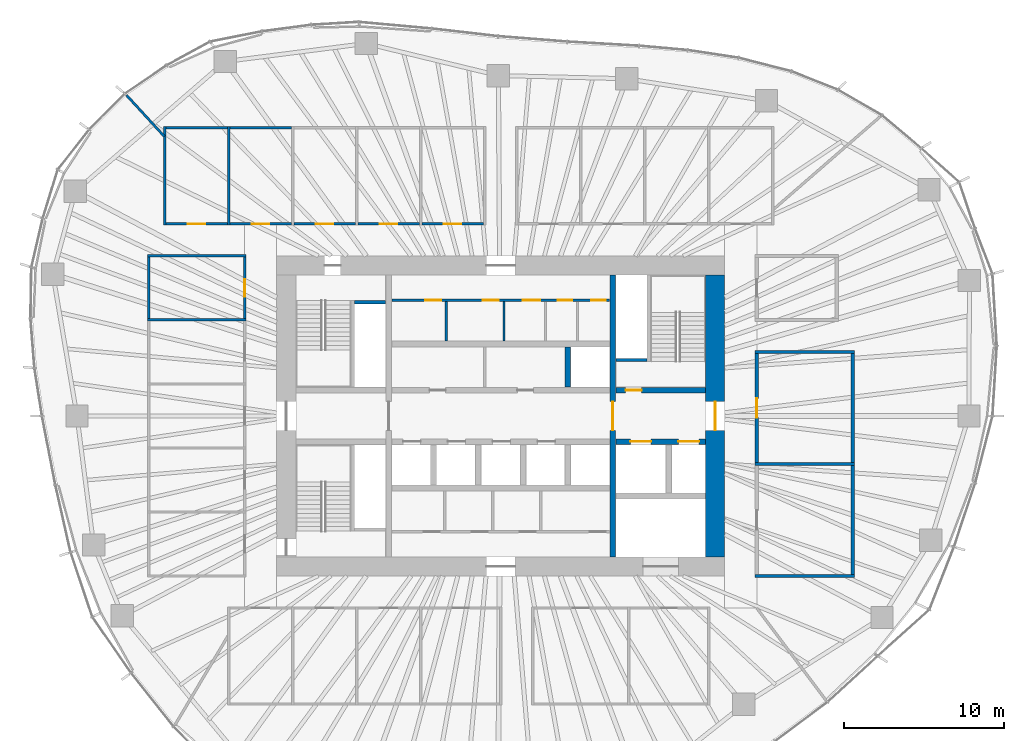
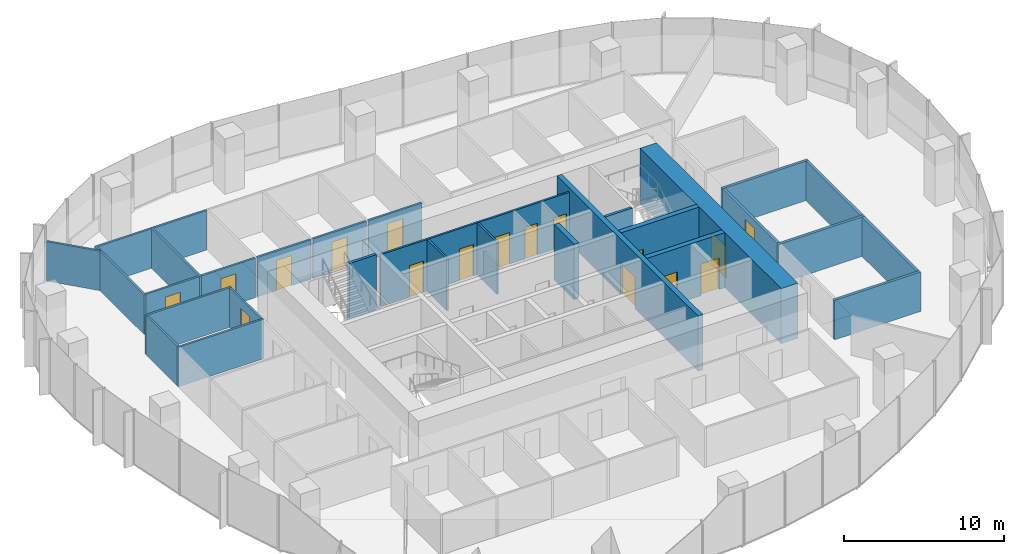
# One storey, part 10 of 18: 30 walls, 17 doors, 17 openings.
"""IFC4 building model written with IfcOpenShell, lengths in metres."""

from ifc_helpers import new_model, si_unit, direction, frame, frame_2d, origin, place, context, subcontext, project, spatial, rectangle, extrude, material, layer, layer_set, type_object, element, fill, save


model = new_model("IFC4")

# Units and contexts
model_context = context("Model", 3, precision=1e-05, world=origin(), true_north=direction((0.0, 1.0)))
body_context = subcontext(model_context, "Body", "Model", "MODEL_VIEW")
ifc_project = project(units=[si_unit("LENGTHUNIT", "METRE"), si_unit("AREAUNIT", "SQUARE_METRE"), si_unit("VOLUMEUNIT", "CUBIC_METRE"), si_unit("PLANEANGLEUNIT", "RADIAN"), si_unit("MASSUNIT", "GRAM", prefix="KILO")], contexts=[model_context])

# Site, building, storey
site_placement = place(None, origin())
site = spatial("IfcSite", under=ifc_project, at=site_placement, CompositionType="ELEMENT")
building_placement = place(site_placement, origin())
building = spatial("IfcBuilding", under=site, at=building_placement, Name="Ghaith Harvest Tower", CompositionType="ELEMENT")
storey_placement = place(building_placement, frame((0.0, 0.0, 172.199951171875)))
storey = spatial("IfcBuildingStorey", under=building, at=storey_placement, Name="L37", CompositionType="ELEMENT", Elevation=172.199951171875)

# Walls
ifc_material_1 = material(Name="Twin-stud gypsum board, acoustic", Category="gypsum")
ifc_layer_1 = layer(ifc_material_1, 0.199951171875)
ifc_layer_set_1 = layer_set([ifc_layer_1], Name="ACOUSTIC PARTITION 200")
wall_type_1 = type_object("IfcWallType", Name="ACOUSTIC PARTITION 200", PredefinedType="PARTITIONING", material=ifc_layer_set_1)
for number, where, z_axis, x_axis, name in (
    (1, (15.89990234375, -10.0, 0.0), (0.0, 0.0, 1.0), (1.0, 0.0, 0.0), "Partition L37 row E3 cross wall 1"),
    (2, (15.89990234375, -3.0, 0.0), (0.0, 0.0, 1.0), (1.0, 0.0, 0.0), "Partition L37 row E3 cross wall 2"),
    (3, (15.89990234375, 4.0, 0.0), (0.0, 0.0, 1.0), (1.0, 0.0, 0.0), "Partition L37 row E3 cross wall 3"),
):
    element("IfcWall", number, at=place(storey_placement, frame(where, z_axis=z_axis, x_axis=x_axis)), inside=storey, type_object=wall_type_1, Name=name, PredefinedType="PARTITIONING", context=body_context, shape_type="SweptSolid", body=[
        extrude(rectangle(XDim=6.2001953125, YDim=0.199951171875, at=frame_2d((3.10009765625, 0.0))), origin(), (0.0, 0.0, 1.0), 3.0),
    ])
wall_1_placement = place(storey_placement, frame((22.0, -9.89990234375, 0.0), z_axis=(0.0, 0.0, 1.0), x_axis=(0.0, 1.0, 0.0)))
element("IfcWall", 4, at=wall_1_placement, inside=storey, type_object=wall_type_1, Name="Partition L37-10", PredefinedType="PARTITIONING", context=body_context, shape_type="SweptSolid", body=[
    extrude(rectangle(XDim=6.7998046875, YDim=0.199951171875, at=frame_2d((3.39990234375, 0.0))), origin(), (0.0, 0.0, 1.0), 3.0),
])

# Wall, opening, door
wall_2_placement = place(storey_placement, frame((16.0, -2.89990234375, 0.0), z_axis=(0.0, 0.0, 1.0), x_axis=(0.0, 1.0, 0.0)))
wall_2 = element("IfcWall", 5, at=wall_2_placement, inside=storey, type_object=wall_type_1, Name="Partition L37-11", PredefinedType="PARTITIONING", context=body_context, shape_type="SweptSolid", body=[
    extrude(rectangle(XDim=6.7998046875, YDim=0.199951171875, at=frame_2d((3.39990234375, 0.0))), origin(), (0.0, 0.0, 1.0), 3.0),
])
opening_1_placement = place(wall_2_placement, frame((2.800048828125, 0.0, 0.0)))
opening_1 = element("IfcOpeningElement", 6, at=opening_1_placement, cuts=wall_2, Name="Opening 37-038", PredefinedType="OPENING", context=body_context, shape_type="SweptSolid", body=[
    extrude(rectangle(XDim=1.199951171875, YDim=2.39990234375, at=frame_2d((0.60009765625, 1.199951171875))), frame((0.0, 0.10986328125, 0.0), z_axis=(0.0, -1.0, 0.0), x_axis=(1.0, 0.0, 0.0)), (0.0, 0.0, 1.0), 0.219970703125),
])
ifc_material_2 = material(Name="Timber door", Category="wood")
door_type_1 = type_object("IfcDoorType", Name="D11 GLAZED 1200x2400", OperationType="SINGLE_SWING_LEFT", PredefinedType="DOOR", material=ifc_material_2)
door_1_placement = place(opening_1_placement, origin())
door_1 = element("IfcDoor", 7, at=door_1_placement, inside=storey, type_object=door_type_1, Name="Meeting room door", OperationType="SINGLE_SWING_LEFT", OverallHeight=2.39990234375, OverallWidth=1.199951171875, PredefinedType="DOOR", context=body_context, shape_type="SweptSolid", body=[
    extrude(rectangle(XDim=1.199951171875, YDim=2.39990234375, at=frame_2d((0.60009765625, 1.199951171875))), frame((0.0, 0.02490234375, 0.0), z_axis=(0.0, -1.0, 0.0), x_axis=(1.0, 0.0, 0.0)), (0.0, 0.0, 1.0), 0.050048828125),
])
fill(opening_1, door_1)

# Wall
wall_3_placement = place(storey_placement, frame((22.0, -2.89990234375, 0.0), z_axis=(0.0, 0.0, 1.0), x_axis=(0.0, 1.0, 0.0)))
element("IfcWall", 8, at=wall_3_placement, inside=storey, type_object=wall_type_1, Name="Partition L37-11", PredefinedType="PARTITIONING", context=body_context, shape_type="SweptSolid", body=[
    extrude(rectangle(XDim=6.7998046875, YDim=0.199951171875, at=frame_2d((3.39990234375, 0.0))), origin(), (0.0, 0.0, 1.0), 3.0),
])

# Wall, openings, doors
ifc_material_3 = material(Name="Concrete blockwork, fair-faced", Category="masonry")
ifc_layer_2 = layer(ifc_material_3, 0.139892578125)
ifc_layer_set_2 = layer_set([ifc_layer_2], Name="CORE PARTITION 140")
wall_type_2 = type_object("IfcWallType", Name="CORE PARTITION 140", PredefinedType="PARTITIONING", material=ifc_layer_set_2)
wall_4_placement = place(storey_placement, frame((-6.800048828125, 7.22998046875, 0.0), z_axis=(0.0, 0.0, 1.0), x_axis=(1.0, 0.0, 0.0)))
wall_4 = element("IfcWall", 9, at=wall_4_placement, inside=storey, type_object=wall_type_2, Name="Core partition L37", PredefinedType="PARTITIONING", context=body_context, shape_type="SweptSolid", body=[
    extrude(rectangle(XDim=13.60009765625, YDim=0.139892578125, at=frame_2d((6.800048828125, 0.0))), origin(), (0.0, 0.0, 1.0), 3.949951171875),
])
opening_2_placement = place(wall_4_placement, frame((2.080078125, 0.0, 0.0)))
opening_2 = element("IfcOpeningElement", 10, at=opening_2_placement, cuts=wall_4, Name="Opening 37-008", PredefinedType="OPENING", context=body_context, shape_type="SweptSolid", body=[
    extrude(rectangle(XDim=1.0, YDim=2.39990234375, at=frame_2d((0.5, 1.199951171875))), frame((0.0, 0.080078125, 0.0), z_axis=(0.0, -1.0, 0.0), x_axis=(1.0, 0.0, 0.0)), (0.0, 0.0, 1.0), 0.159912109375),
])
opening_3_placement = place(wall_4_placement, frame((5.679931640625, 0.0, 0.0)))
opening_3 = element("IfcOpeningElement", 11, at=opening_3_placement, cuts=wall_4, Name="Opening 37-009", PredefinedType="OPENING", context=body_context, shape_type="SweptSolid", body=[
    extrude(rectangle(XDim=1.0, YDim=2.39990234375, at=frame_2d((0.5, 1.199951171875))), frame((0.0, 0.080078125, 0.0), z_axis=(0.0, -1.0, 0.0), x_axis=(1.0, 0.0, 0.0)), (0.0, 0.0, 1.0), 0.159912109375),
])
opening_4_placement = place(wall_4_placement, frame((8.179931640625, 0.0, 0.0)))
opening_4 = element("IfcOpeningElement", 12, at=opening_4_placement, cuts=wall_4, Name="Opening 37-010", PredefinedType="OPENING", context=body_context, shape_type="SweptSolid", body=[
    extrude(rectangle(XDim=1.10009765625, YDim=2.39990234375, at=frame_2d((0.550048828125, 1.199951171875))), frame((0.0, 0.080078125, 0.0), z_axis=(0.0, -1.0, 0.0), x_axis=(1.0, 0.0, 0.0)), (0.0, 0.0, 1.0), 0.159912109375),
])
opening_5_placement = place(wall_4_placement, frame((10.3798828125, 0.0, 0.0)))
opening_5 = element("IfcOpeningElement", 13, at=opening_5_placement, cuts=wall_4, Name="Opening 37-011", PredefinedType="OPENING", context=body_context, shape_type="SweptSolid", body=[
    extrude(rectangle(XDim=0.89990234375, YDim=2.39990234375, at=frame_2d((0.449951171875, 1.199951171875))), frame((0.0, 0.080078125, 0.0), z_axis=(0.0, -1.0, 0.0), x_axis=(1.0, 0.0, 0.0)), (0.0, 0.0, 1.0), 0.159912109375),
])
opening_6_placement = place(wall_4_placement, frame((12.449951171875, 0.0, 0.0)))
opening_6 = element("IfcOpeningElement", 14, at=opening_6_placement, cuts=wall_4, Name="Opening 37-012", PredefinedType="OPENING", context=body_context, shape_type="SweptSolid", body=[
    extrude(rectangle(XDim=0.89990234375, YDim=2.39990234375, at=frame_2d((0.449951171875, 1.199951171875))), frame((0.0, 0.080078125, 0.0), z_axis=(0.0, -1.0, 0.0), x_axis=(1.0, 0.0, 0.0)), (0.0, 0.0, 1.0), 0.159912109375),
])
ifc_material_4 = material(Name="Steel fire door", Category="steel")
door_type_2 = type_object("IfcDoorType", Name="D3 FD90 1000x2400", OperationType="SINGLE_SWING_LEFT", PredefinedType="DOOR", material=ifc_material_4)
door_2_placement = place(opening_2_placement, origin())
door_2 = element("IfcDoor", 15, at=door_2_placement, inside=storey, type_object=door_type_2, Name="Male WC door", OperationType="SINGLE_SWING_LEFT", OverallHeight=2.39990234375, OverallWidth=1.0, PredefinedType="DOOR", context=body_context, shape_type="SweptSolid", body=[
    extrude(rectangle(XDim=1.0, YDim=2.39990234375, at=frame_2d((0.5, 1.199951171875))), frame((0.0, 0.02490234375, 0.0), z_axis=(0.0, -1.0, 0.0), x_axis=(1.0, 0.0, 0.0)), (0.0, 0.0, 1.0), 0.050048828125),
])
fill(opening_2, door_2)
door_3_placement = place(opening_3_placement, origin())
door_3 = element("IfcDoor", 16, at=door_3_placement, inside=storey, type_object=door_type_2, Name="Female WC door", OperationType="SINGLE_SWING_LEFT", OverallHeight=2.39990234375, OverallWidth=1.0, PredefinedType="DOOR", context=body_context, shape_type="SweptSolid", body=[
    extrude(rectangle(XDim=1.0, YDim=2.39990234375, at=frame_2d((0.5, 1.199951171875))), frame((0.0, 0.02490234375, 0.0), z_axis=(0.0, -1.0, 0.0), x_axis=(1.0, 0.0, 0.0)), (0.0, 0.0, 1.0), 0.050048828125),
])
fill(opening_3, door_3)
ifc_material_5 = material(Name="Steel fire door", Category="steel")
door_type_3 = type_object("IfcDoorType", Name="D5 FD90 900x2400", OperationType="SINGLE_SWING_LEFT", PredefinedType="DOOR", material=ifc_material_5)
door_4_placement = place(opening_5_placement, origin())
door_4 = element("IfcDoor", 17, at=door_4_placement, inside=storey, type_object=door_type_3, Name="Store door", OperationType="SINGLE_SWING_RIGHT", OverallHeight=2.39990234375, OverallWidth=0.89990234375, PredefinedType="DOOR", context=body_context, shape_type="SweptSolid", body=[
    extrude(rectangle(XDim=0.89990234375, YDim=2.39990234375, at=frame_2d((0.449951171875, 1.199951171875))), frame((0.0, 0.02490234375, 0.0), z_axis=(0.0, -1.0, 0.0), x_axis=(1.0, 0.0, 0.0)), (0.0, 0.0, 1.0), 0.050048828125),
])
fill(opening_5, door_4)
door_5_placement = place(opening_6_placement, origin())
door_5 = element("IfcDoor", 18, at=door_5_placement, inside=storey, type_object=door_type_3, Name="Cleaner's store door", OperationType="SINGLE_SWING_RIGHT", OverallHeight=2.39990234375, OverallWidth=0.89990234375, PredefinedType="DOOR", context=body_context, shape_type="SweptSolid", body=[
    extrude(rectangle(XDim=0.89990234375, YDim=2.39990234375, at=frame_2d((0.449951171875, 1.199951171875))), frame((0.0, 0.02490234375, 0.0), z_axis=(0.0, -1.0, 0.0), x_axis=(1.0, 0.0, 0.0)), (0.0, 0.0, 1.0), 0.050048828125),
])
fill(opening_6, door_5)
ifc_material_6 = material(Name="Steel fire door", Category="steel")
door_type_4 = type_object("IfcDoorType", Name="D9 FD90 1100x2400", OperationType="SINGLE_SWING_LEFT", PredefinedType="DOOR", material=ifc_material_6)
door_6_placement = place(opening_4_placement, origin())
door_6 = element("IfcDoor", 19, at=door_6_placement, inside=storey, type_object=door_type_4, Name="Accessible WC door", OperationType="SINGLE_SWING_RIGHT", OverallHeight=2.39990234375, OverallWidth=1.10009765625, PredefinedType="DOOR", context=body_context, shape_type="SweptSolid", body=[
    extrude(rectangle(XDim=1.10009765625, YDim=2.39990234375, at=frame_2d((0.550048828125, 1.199951171875))), frame((0.0, 0.02490234375, 0.0), z_axis=(0.0, -1.0, 0.0), x_axis=(1.0, 0.0, 0.0)), (0.0, 0.0, 1.0), 0.050048828125),
])
fill(opening_4, door_6)

# Walls
for number, where, z_axis, x_axis, name in (
    (20, (-3.39990234375, 4.699951171875, 0.0), (0.0, 0.0, 1.0), (0.0, 1.0, 0.0), "Core partition L37"),
    (21, (0.199951171875, 4.699951171875, 0.0), (0.0, 0.0, 1.0), (0.0, 1.0, 0.0), "Core partition L37"),
):
    element("IfcWall", number, at=place(storey_placement, frame(where, z_axis=z_axis, x_axis=x_axis)), inside=storey, type_object=wall_type_2, Name=name, PredefinedType="PARTITIONING", context=body_context, shape_type="SweptSolid", body=[
        extrude(rectangle(XDim=2.4599609375, YDim=0.139892578125, at=frame_2d((1.22998046875, 0.0))), origin(), (0.0, 0.0, 1.0), 3.949951171875),
    ])

# Wall, opening, door
ifc_material_7 = material(Name="Concrete C60/75", Category="concrete")
ifc_layer_3 = layer(ifc_material_7, 1.199951171875)
ifc_layer_set_3 = layer_set([ifc_layer_3], Name="CORE WALL CW1200 C60")
wall_type_3 = type_object("IfcWallType", Name="CORE WALL CW1200 C60", PredefinedType="SHEAR", material=ifc_layer_set_3)
wall_5_placement = place(storey_placement, frame((13.39990234375, -8.800048828125, 0.0), z_axis=(0.0, 0.0, 1.0), x_axis=(0.0, 1.0, 0.0)))
wall_5 = element("IfcWall", 22, at=wall_5_placement, inside=storey, type_object=wall_type_3, Name="Core wall E L37", PredefinedType="SHEAR", context=body_context, shape_type="SweptSolid", body=[
    extrude(rectangle(XDim=17.60009765625, YDim=1.199951171875, at=frame_2d((8.800048828125, 0.0))), origin(), (0.0, 0.0, 1.0), 4.199951171875),
])
opening_7_placement = place(wall_5_placement, frame((7.89990234375, 0.0, 0.0)))
opening_7 = element("IfcOpeningElement", 23, at=opening_7_placement, cuts=wall_5, Name="Opening 37-002", PredefinedType="OPENING", context=body_context, shape_type="SweptSolid", body=[
    extrude(rectangle(XDim=1.800048828125, YDim=2.39990234375, at=frame_2d((0.89990234375, 1.199951171875))), frame((0.0, 0.60986328125, 0.0), z_axis=(0.0, -1.0, 0.0), x_axis=(1.0, 0.0, 0.0)), (0.0, 0.0, 1.0), 1.219970703125),
])
ifc_material_8 = material(Name="Steel fire door", Category="steel")
door_type_5 = type_object("IfcDoorType", Name="D4 FD90 PAIR 1800x2400", OperationType="DOUBLE_DOOR_SINGLE_SWING", PredefinedType="DOOR", material=ifc_material_8)
door_7_placement = place(opening_7_placement, origin())
door_7 = element("IfcDoor", 24, at=door_7_placement, inside=storey, type_object=door_type_5, Name="Fire-fighting lobby doors", OperationType="DOUBLE_DOOR_SINGLE_SWING", OverallHeight=2.39990234375, OverallWidth=1.800048828125, PredefinedType="DOOR", context=body_context, shape_type="SweptSolid", body=[
    extrude(rectangle(XDim=1.800048828125, YDim=2.39990234375, at=frame_2d((0.89990234375, 1.199951171875))), frame((0.0, 0.02490234375, 0.0), z_axis=(0.0, -1.0, 0.0), x_axis=(1.0, 0.0, 0.0)), (0.0, 0.0, 1.0), 0.050048828125),
])
fill(opening_7, door_7)

# Walls
ifc_material_9 = material(Name="Gypsum board on steel studs", Category="steel")
ifc_layer_4 = layer(ifc_material_9, 0.14990234375)
ifc_layer_set_4 = layer_set([ifc_layer_4], Name="PARTITION 150")
wall_type_4 = type_object("IfcWallType", Name="PARTITION 150", PredefinedType="PARTITIONING", material=ifc_layer_set_4)
for number, where, z_axis, x_axis, name in (
    (25, (-21.0, 11.925048828125, 0.0), (0.0, 0.0, 1.0), (0.0, 1.0, 0.0), "Partition L37 row N1 cross wall 1"),
    (26, (-17.0, 11.925048828125, 0.0), (0.0, 0.0, 1.0), (0.0, 1.0, 0.0), "Partition L37 row N1 cross wall 2"),
):
    element("IfcWall", number, at=place(storey_placement, frame(where, z_axis=z_axis, x_axis=x_axis)), inside=storey, type_object=wall_type_4, Name=name, PredefinedType="PARTITIONING", context=body_context, shape_type="SweptSolid", body=[
        extrude(rectangle(XDim=6.14990234375, YDim=0.14990234375, at=frame_2d((3.074951171875, 0.0))), origin(), (0.0, 0.0, 1.0), 3.0),
    ])

# Wall, opening, door
wall_6_placement = place(storey_placement, frame((-20.925048828125, 12.0, 0.0), z_axis=(0.0, 0.0, 1.0), x_axis=(1.0, 0.0, 0.0)))
wall_6 = element("IfcWall", 27, at=wall_6_placement, inside=storey, type_object=wall_type_4, Name="Partition L37-01", PredefinedType="PARTITIONING", context=body_context, shape_type="SweptSolid", body=[
    extrude(rectangle(XDim=3.85009765625, YDim=0.14990234375, at=frame_2d((1.925048828125, 0.0))), origin(), (0.0, 0.0, 1.0), 3.0),
])
opening_8_placement = place(wall_6_placement, frame((1.375, 0.0, 0.0)))
opening_8 = element("IfcOpeningElement", 28, at=opening_8_placement, cuts=wall_6, Name="Opening 37-028", PredefinedType="OPENING", context=body_context, shape_type="SweptSolid", body=[
    extrude(rectangle(XDim=1.10009765625, YDim=2.300048828125, at=frame_2d((0.550048828125, 1.14990234375))), frame((0.0, 0.0849609375, 0.0), z_axis=(0.0, -1.0, 0.0), x_axis=(1.0, 0.0, 0.0)), (0.0, 0.0, 1.0), 0.169921875),
])
ifc_material_10 = material(Name="Timber-framed glazed door", Category="wood")
door_type_6 = type_object("IfcDoorType", Name="D12 GLAZED OFFICE 1100x2300", OperationType="SINGLE_SWING_LEFT", PredefinedType="DOOR", material=ifc_material_10)
door_8_placement = place(opening_8_placement, origin())
door_8 = element("IfcDoor", 29, at=door_8_placement, inside=storey, type_object=door_type_6, Name="Office door", OperationType="SINGLE_SWING_LEFT", OverallHeight=2.300048828125, OverallWidth=1.10009765625, PredefinedType="DOOR", context=body_context, shape_type="SweptSolid", body=[
    extrude(rectangle(XDim=1.10009765625, YDim=2.300048828125, at=frame_2d((0.550048828125, 1.14990234375))), frame((0.0, 0.02490234375, 0.0), z_axis=(0.0, -1.0, 0.0), x_axis=(1.0, 0.0, 0.0)), (0.0, 0.0, 1.0), 0.050048828125),
])
fill(opening_8, door_8)

# Wall
wall_7_placement = place(storey_placement, frame((-20.925048828125, 18.0, 0.0), z_axis=(0.0, 0.0, 1.0), x_axis=(1.0, 0.0, 0.0)))
element("IfcWall", 30, at=wall_7_placement, inside=storey, type_object=wall_type_4, Name="Partition L37-01", PredefinedType="PARTITIONING", context=body_context, shape_type="SweptSolid", body=[
    extrude(rectangle(XDim=3.85009765625, YDim=0.14990234375, at=frame_2d((1.925048828125, 0.0))), origin(), (0.0, 0.0, 1.0), 3.0),
])

# Wall, opening, door
wall_8_placement = place(storey_placement, frame((-16.925048828125, 12.0, 0.0), z_axis=(0.0, 0.0, 1.0), x_axis=(1.0, 0.0, 0.0)))
wall_8 = element("IfcWall", 31, at=wall_8_placement, inside=storey, type_object=wall_type_4, Name="Partition L37-02", PredefinedType="PARTITIONING", context=body_context, shape_type="SweptSolid", body=[
    extrude(rectangle(XDim=3.85009765625, YDim=0.14990234375, at=frame_2d((1.925048828125, 0.0))), origin(), (0.0, 0.0, 1.0), 3.0),
])
opening_9_placement = place(wall_8_placement, frame((1.375, 0.0, 0.0)))
opening_9 = element("IfcOpeningElement", 32, at=opening_9_placement, cuts=wall_8, Name="Opening 37-029", PredefinedType="OPENING", context=body_context, shape_type="SweptSolid", body=[
    extrude(rectangle(XDim=1.10009765625, YDim=2.300048828125, at=frame_2d((0.550048828125, 1.14990234375))), frame((0.0, 0.0849609375, 0.0), z_axis=(0.0, -1.0, 0.0), x_axis=(1.0, 0.0, 0.0)), (0.0, 0.0, 1.0), 0.169921875),
])
door_9_placement = place(opening_9_placement, origin())
door_9 = element("IfcDoor", 33, at=door_9_placement, inside=storey, type_object=door_type_6, Name="Office door", OperationType="SINGLE_SWING_LEFT", OverallHeight=2.300048828125, OverallWidth=1.10009765625, PredefinedType="DOOR", context=body_context, shape_type="SweptSolid", body=[
    extrude(rectangle(XDim=1.10009765625, YDim=2.300048828125, at=frame_2d((0.550048828125, 1.14990234375))), frame((0.0, 0.02490234375, 0.0), z_axis=(0.0, -1.0, 0.0), x_axis=(1.0, 0.0, 0.0)), (0.0, 0.0, 1.0), 0.050048828125),
])
fill(opening_9, door_9)

# Wall
wall_9_placement = place(storey_placement, frame((-16.925048828125, 18.0, 0.0), z_axis=(0.0, 0.0, 1.0), x_axis=(1.0, 0.0, 0.0)))
element("IfcWall", 34, at=wall_9_placement, inside=storey, type_object=wall_type_4, Name="Partition L37-02", PredefinedType="PARTITIONING", context=body_context, shape_type="SweptSolid", body=[
    extrude(rectangle(XDim=3.85009765625, YDim=0.14990234375, at=frame_2d((1.925048828125, 0.0))), origin(), (0.0, 0.0, 1.0), 3.0),
])

# Wall, opening, door
wall_10_placement = place(storey_placement, frame((-12.925048828125, 12.0, 0.0), z_axis=(0.0, 0.0, 1.0), x_axis=(1.0, 0.0, 0.0)))
wall_10 = element("IfcWall", 35, at=wall_10_placement, inside=storey, type_object=wall_type_4, Name="Partition L37-03", PredefinedType="PARTITIONING", context=body_context, shape_type="SweptSolid", body=[
    extrude(rectangle(XDim=3.85009765625, YDim=0.14990234375, at=frame_2d((1.925048828125, 0.0))), origin(), (0.0, 0.0, 1.0), 3.0),
])
opening_10_placement = place(wall_10_placement, frame((1.375, 0.0, 0.0)))
opening_10 = element("IfcOpeningElement", 36, at=opening_10_placement, cuts=wall_10, Name="Opening 37-030", PredefinedType="OPENING", context=body_context, shape_type="SweptSolid", body=[
    extrude(rectangle(XDim=1.10009765625, YDim=2.300048828125, at=frame_2d((0.550048828125, 1.14990234375))), frame((0.0, 0.0849609375, 0.0), z_axis=(0.0, -1.0, 0.0), x_axis=(1.0, 0.0, 0.0)), (0.0, 0.0, 1.0), 0.169921875),
])
door_10_placement = place(opening_10_placement, origin())
door_10 = element("IfcDoor", 37, at=door_10_placement, inside=storey, type_object=door_type_6, Name="Office door", OperationType="SINGLE_SWING_LEFT", OverallHeight=2.300048828125, OverallWidth=1.10009765625, PredefinedType="DOOR", context=body_context, shape_type="SweptSolid", body=[
    extrude(rectangle(XDim=1.10009765625, YDim=2.300048828125, at=frame_2d((0.550048828125, 1.14990234375))), frame((0.0, 0.02490234375, 0.0), z_axis=(0.0, -1.0, 0.0), x_axis=(1.0, 0.0, 0.0)), (0.0, 0.0, 1.0), 0.050048828125),
])
fill(opening_10, door_10)

wall_11_placement = place(storey_placement, frame((-8.925048828125, 12.0, 0.0), z_axis=(0.0, 0.0, 1.0), x_axis=(1.0, 0.0, 0.0)))
wall_11 = element("IfcWall", 38, at=wall_11_placement, inside=storey, type_object=wall_type_4, Name="Partition L37-04", PredefinedType="PARTITIONING", context=body_context, shape_type="SweptSolid", body=[
    extrude(rectangle(XDim=3.85009765625, YDim=0.14990234375, at=frame_2d((1.925048828125, 0.0))), origin(), (0.0, 0.0, 1.0), 3.0),
])
opening_11_placement = place(wall_11_placement, frame((1.375, 0.0, 0.0)))
opening_11 = element("IfcOpeningElement", 39, at=opening_11_placement, cuts=wall_11, Name="Opening 37-031", PredefinedType="OPENING", context=body_context, shape_type="SweptSolid", body=[
    extrude(rectangle(XDim=1.10009765625, YDim=2.300048828125, at=frame_2d((0.550048828125, 1.14990234375))), frame((0.0, 0.0849609375, 0.0), z_axis=(0.0, -1.0, 0.0), x_axis=(1.0, 0.0, 0.0)), (0.0, 0.0, 1.0), 0.169921875),
])
door_11_placement = place(opening_11_placement, origin())
door_11 = element("IfcDoor", 40, at=door_11_placement, inside=storey, type_object=door_type_6, Name="Office door", OperationType="SINGLE_SWING_LEFT", OverallHeight=2.300048828125, OverallWidth=1.10009765625, PredefinedType="DOOR", context=body_context, shape_type="SweptSolid", body=[
    extrude(rectangle(XDim=1.10009765625, YDim=2.300048828125, at=frame_2d((0.550048828125, 1.14990234375))), frame((0.0, 0.02490234375, 0.0), z_axis=(0.0, -1.0, 0.0), x_axis=(1.0, 0.0, 0.0)), (0.0, 0.0, 1.0), 0.050048828125),
])
fill(opening_11, door_11)

wall_12_placement = place(storey_placement, frame((-4.925048828125, 12.0, 0.0), z_axis=(0.0, 0.0, 1.0), x_axis=(1.0, 0.0, 0.0)))
wall_12 = element("IfcWall", 41, at=wall_12_placement, inside=storey, type_object=wall_type_4, Name="Partition L37-05", PredefinedType="PARTITIONING", context=body_context, shape_type="SweptSolid", body=[
    extrude(rectangle(XDim=3.85009765625, YDim=0.14990234375, at=frame_2d((1.925048828125, 0.0))), origin(), (0.0, 0.0, 1.0), 3.0),
])
opening_12_placement = place(wall_12_placement, frame((1.375, 0.0, 0.0)))
opening_12 = element("IfcOpeningElement", 42, at=opening_12_placement, cuts=wall_12, Name="Opening 37-032", PredefinedType="OPENING", context=body_context, shape_type="SweptSolid", body=[
    extrude(rectangle(XDim=1.10009765625, YDim=2.300048828125, at=frame_2d((0.550048828125, 1.14990234375))), frame((0.0, 0.0849609375, 0.0), z_axis=(0.0, -1.0, 0.0), x_axis=(1.0, 0.0, 0.0)), (0.0, 0.0, 1.0), 0.169921875),
])
door_12_placement = place(opening_12_placement, origin())
door_12 = element("IfcDoor", 43, at=door_12_placement, inside=storey, type_object=door_type_6, Name="Office door", OperationType="SINGLE_SWING_LEFT", OverallHeight=2.300048828125, OverallWidth=1.10009765625, PredefinedType="DOOR", context=body_context, shape_type="SweptSolid", body=[
    extrude(rectangle(XDim=1.10009765625, YDim=2.300048828125, at=frame_2d((0.550048828125, 1.14990234375))), frame((0.0, 0.02490234375, 0.0), z_axis=(0.0, -1.0, 0.0), x_axis=(1.0, 0.0, 0.0)), (0.0, 0.0, 1.0), 0.050048828125),
])
fill(opening_12, door_12)

# Walls
for number, where, z_axis, x_axis, name in (
    (44, (-15.925048828125, 6.0, 0.0), (0.0, 0.0, 1.0), (-1.0, 0.0, 0.0), "Partition L37 row W6 cross wall 5"),
    (45, (-15.925048828125, 10.0, 0.0), (0.0, 0.0, 1.0), (-1.0, 0.0, 0.0), "Partition L37 row W6 cross wall 6"),
):
    element("IfcWall", number, at=place(storey_placement, frame(where, z_axis=z_axis, x_axis=x_axis)), inside=storey, type_object=wall_type_4, Name=name, PredefinedType="PARTITIONING", context=body_context, shape_type="SweptSolid", body=[
        extrude(rectangle(XDim=6.14990234375, YDim=0.14990234375, at=frame_2d((3.074951171875, 0.0))), origin(), (0.0, 0.0, 1.0), 3.0),
    ])

# Wall, opening, door
wall_13_placement = place(storey_placement, frame((-16.0, 6.074951171875, 0.0), z_axis=(0.0, 0.0, 1.0), x_axis=(0.0, 1.0, 0.0)))
wall_13 = element("IfcWall", 46, at=wall_13_placement, inside=storey, type_object=wall_type_4, Name="Partition L37-22", PredefinedType="PARTITIONING", context=body_context, shape_type="SweptSolid", body=[
    extrude(rectangle(XDim=3.85009765625, YDim=0.14990234375, at=frame_2d((1.925048828125, 0.0))), origin(), (0.0, 0.0, 1.0), 3.0),
])
opening_13_placement = place(wall_13_placement, frame((1.375, 0.0, 0.0)))
opening_13 = element("IfcOpeningElement", 47, at=opening_13_placement, cuts=wall_13, Name="Opening 37-049", PredefinedType="OPENING", context=body_context, shape_type="SweptSolid", body=[
    extrude(rectangle(XDim=1.10009765625, YDim=2.300048828125, at=frame_2d((0.550048828125, 1.14990234375))), frame((0.0, 0.0849609375, 0.0), z_axis=(0.0, -1.0, 0.0), x_axis=(1.0, 0.0, 0.0)), (0.0, 0.0, 1.0), 0.169921875),
])
door_13_placement = place(opening_13_placement, origin())
door_13 = element("IfcDoor", 48, at=door_13_placement, inside=storey, type_object=door_type_6, Name="Office door", OperationType="SINGLE_SWING_LEFT", OverallHeight=2.300048828125, OverallWidth=1.10009765625, PredefinedType="DOOR", context=body_context, shape_type="SweptSolid", body=[
    extrude(rectangle(XDim=1.10009765625, YDim=2.300048828125, at=frame_2d((0.550048828125, 1.14990234375))), frame((0.0, 0.02490234375, 0.0), z_axis=(0.0, -1.0, 0.0), x_axis=(1.0, 0.0, 0.0)), (0.0, 0.0, 1.0), 0.050048828125),
])
fill(opening_13, door_13)

# Walls
wall_14_placement = place(storey_placement, frame((-22.0, 6.074951171875, 0.0), z_axis=(0.0, 0.0, 1.0), x_axis=(0.0, 1.0, 0.0)))
element("IfcWall", 49, at=wall_14_placement, inside=storey, type_object=wall_type_4, Name="Partition L37-22", PredefinedType="PARTITIONING", context=body_context, shape_type="SweptSolid", body=[
    extrude(rectangle(XDim=3.85009765625, YDim=0.14990234375, at=frame_2d((1.925048828125, 0.0))), origin(), (0.0, 0.0, 1.0), 3.0),
])
wall_15_placement = place(storey_placement, frame((-21.02001953125, 17.4697265625, 0.0), z_axis=(0.0, 0.0, 1.0), x_axis=(-0.67615762792, 0.736756989927, 0.0)))
element("IfcWall", 50, at=wall_15_placement, inside=storey, type_object=wall_type_4, Name="Partition L37 zone division", PredefinedType="PARTITIONING", context=body_context, shape_type="SweptSolid", body=[
    extrude(rectangle(XDim=3.4970703125, YDim=0.14990234375, at=frame_2d((1.74853515625, 0.0))), origin(), (0.0, 0.0, 1.0), 3.0),
])

# Wall, opening, door
ifc_material_11 = material(Name="Concrete C60/75", Category="concrete")
ifc_layer_5 = layer(ifc_material_11, 0.35009765625)
ifc_layer_set_5 = layer_set([ifc_layer_5], Name="SHAFT WALL 350")
wall_type_5 = type_object("IfcWallType", Name="SHAFT WALL 350", PredefinedType="SHEAR", material=ifc_layer_set_5)
wall_16_placement = place(storey_placement, frame((7.0, -8.800048828125, 0.0), z_axis=(0.0, 0.0, 1.0), x_axis=(0.0, 1.0, 0.0)))
wall_16 = element("IfcWall", 51, at=wall_16_placement, inside=storey, type_object=wall_type_5, Name="Shaft wall W7E L37", PredefinedType="SHEAR", context=body_context, shape_type="SweptSolid", body=[
    extrude(rectangle(XDim=17.60009765625, YDim=0.35009765625, at=frame_2d((8.800048828125, 0.0))), origin(), (0.0, 0.0, 1.0), 4.199951171875),
])
opening_14_placement = place(wall_16_placement, frame((7.89990234375, 0.0, 0.0)))
opening_14 = element("IfcOpeningElement", 52, at=opening_14_placement, cuts=wall_16, Name="Opening 37-004", PredefinedType="OPENING", context=body_context, shape_type="SweptSolid", body=[
    extrude(rectangle(XDim=1.800048828125, YDim=2.39990234375, at=frame_2d((0.89990234375, 1.199951171875))), frame((0.0, 0.18505859375, 0.0), z_axis=(0.0, -1.0, 0.0), x_axis=(1.0, 0.0, 0.0)), (0.0, 0.0, 1.0), 0.3701171875),
])
door_14_placement = place(opening_14_placement, origin())
door_14 = element("IfcDoor", 53, at=door_14_placement, inside=storey, type_object=door_type_5, Name="Lift lobby doors, east", OperationType="DOUBLE_DOOR_SINGLE_SWING", OverallHeight=2.39990234375, OverallWidth=1.800048828125, PredefinedType="DOOR", context=body_context, shape_type="SweptSolid", body=[
    extrude(rectangle(XDim=1.800048828125, YDim=2.39990234375, at=frame_2d((0.89990234375, 1.199951171875))), frame((0.0, 0.02490234375, 0.0), z_axis=(0.0, -1.0, 0.0), x_axis=(1.0, 0.0, 0.0)), (0.0, 0.0, 1.0), 0.050048828125),
])
fill(opening_14, door_14)

wall_17_placement = place(storey_placement, frame((7.199951171875, 1.60009765625, 0.0), z_axis=(0.0, 0.0, 1.0), x_axis=(1.0, 0.0, 0.0)))
wall_17 = element("IfcWall", 54, at=wall_17_placement, inside=storey, type_object=wall_type_5, Name="Shaft wall EN L37", PredefinedType="SHEAR", context=body_context, shape_type="SweptSolid", body=[
    extrude(rectangle(XDim=5.60009765625, YDim=0.35009765625, at=frame_2d((2.800048828125, 0.0))), origin(), (0.0, 0.0, 1.0), 4.199951171875),
])
opening_15_placement = place(wall_17_placement, frame((0.60009765625, 0.0, 0.0)))
opening_15 = element("IfcOpeningElement", 55, at=opening_15_placement, cuts=wall_17, Name="Opening 37-007", PredefinedType="OPENING", context=body_context, shape_type="SweptSolid", body=[
    extrude(rectangle(XDim=1.0, YDim=2.39990234375, at=frame_2d((0.5, 1.199951171875))), frame((0.0, 0.18505859375, 0.0), z_axis=(0.0, -1.0, 0.0), x_axis=(1.0, 0.0, 0.0)), (0.0, 0.0, 1.0), 0.3701171875),
])
door_15_placement = place(opening_15_placement, origin())
door_15 = element("IfcDoor", 56, at=door_15_placement, inside=storey, type_object=door_type_2, Name="Stair ST2 door", OperationType="SINGLE_SWING_LEFT", OverallHeight=2.39990234375, OverallWidth=1.0, PredefinedType="DOOR", context=body_context, shape_type="SweptSolid", body=[
    extrude(rectangle(XDim=1.0, YDim=2.39990234375, at=frame_2d((0.5, 1.199951171875))), frame((0.0, 0.02490234375, 0.0), z_axis=(0.0, -1.0, 0.0), x_axis=(1.0, 0.0, 0.0)), (0.0, 0.0, 1.0), 0.050048828125),
])
fill(opening_15, door_15)

# Wall, openings, doors
wall_18_placement = place(storey_placement, frame((7.199951171875, -1.60009765625, 0.0), z_axis=(0.0, 0.0, 1.0), x_axis=(1.0, 0.0, 0.0)))
wall_18 = element("IfcWall", 57, at=wall_18_placement, inside=storey, type_object=wall_type_5, Name="Shaft wall ES L37", PredefinedType="SHEAR", context=body_context, shape_type="SweptSolid", body=[
    extrude(rectangle(XDim=5.60009765625, YDim=0.35009765625, at=frame_2d((2.800048828125, 0.0))), origin(), (0.0, 0.0, 1.0), 4.199951171875),
])
opening_16_placement = place(wall_18_placement, frame((0.89990234375, 0.0, 0.0)))
opening_16 = element("IfcOpeningElement", 58, at=opening_16_placement, cuts=wall_18, Name="Opening 37-025", PredefinedType="OPENING", context=body_context, shape_type="SweptSolid", body=[
    extrude(rectangle(XDim=1.300048828125, YDim=2.39990234375, at=frame_2d((0.64990234375, 1.199951171875))), frame((0.0, 0.18505859375, 0.0), z_axis=(0.0, -1.0, 0.0), x_axis=(1.0, 0.0, 0.0)), (0.0, 0.0, 1.0), 0.3701171875),
])
opening_17_placement = place(wall_18_placement, frame((3.89990234375, 0.0, 0.0)))
opening_17 = element("IfcOpeningElement", 59, at=opening_17_placement, cuts=wall_18, Name="Opening 37-026", PredefinedType="OPENING", context=body_context, shape_type="SweptSolid", body=[
    extrude(rectangle(XDim=1.300048828125, YDim=2.39990234375, at=frame_2d((0.64990234375, 1.199951171875))), frame((0.0, 0.18505859375, 0.0), z_axis=(0.0, -1.0, 0.0), x_axis=(1.0, 0.0, 0.0)), (0.0, 0.0, 1.0), 0.3701171875),
])
ifc_material_12 = material(Name="Steel fire door", Category="steel")
door_type_7 = type_object("IfcDoorType", Name="LD2 LANDING 1300x2400", OperationType="DOUBLE_DOOR_SLIDING", PredefinedType="DOOR", material=ifc_material_12)
door_16_placement = place(opening_16_placement, origin())
door_16 = element("IfcDoor", 60, at=door_16_placement, inside=storey, type_object=door_type_7, Name="Landing door, fire service lift FL1", OperationType="DOUBLE_DOOR_SLIDING", OverallHeight=2.39990234375, OverallWidth=1.300048828125, PredefinedType="DOOR", context=body_context, shape_type="SweptSolid", body=[
    extrude(rectangle(XDim=1.300048828125, YDim=2.39990234375, at=frame_2d((0.64990234375, 1.199951171875))), frame((0.0, 0.02490234375, 0.0), z_axis=(0.0, -1.0, 0.0), x_axis=(1.0, 0.0, 0.0)), (0.0, 0.0, 1.0), 0.050048828125),
])
fill(opening_16, door_16)
door_17_placement = place(opening_17_placement, origin())
door_17 = element("IfcDoor", 61, at=door_17_placement, inside=storey, type_object=door_type_7, Name="Landing door, fire service lift FL2", OperationType="DOUBLE_DOOR_SLIDING", OverallHeight=2.39990234375, OverallWidth=1.300048828125, PredefinedType="DOOR", context=body_context, shape_type="SweptSolid", body=[
    extrude(rectangle(XDim=1.300048828125, YDim=2.39990234375, at=frame_2d((0.64990234375, 1.199951171875))), frame((0.0, 0.02490234375, 0.0), z_axis=(0.0, -1.0, 0.0), x_axis=(1.0, 0.0, 0.0)), (0.0, 0.0, 1.0), 0.050048828125),
])
fill(opening_17, door_17)

# Walls
wall_19_placement = place(storey_placement, frame((4.199951171875, 1.800048828125, 0.0), z_axis=(0.0, 0.0, 1.0), x_axis=(0.0, 1.0, 0.0)))
element("IfcWall", 62, at=wall_19_placement, inside=storey, type_object=wall_type_5, Name="Shaft wall DN4 L37", PredefinedType="SHEAR", context=body_context, shape_type="SweptSolid", body=[
    extrude(rectangle(XDim=2.5, YDim=0.35009765625, at=frame_2d((1.25, 0.0))), origin(), (0.0, 0.0, 1.0), 4.199951171875),
])
ifc_material_13 = material(Name="Concrete C40/50", Category="concrete")
ifc_layer_6 = layer(ifc_material_13, 0.199951171875)
ifc_layer_set_6 = layer_set([ifc_layer_6], Name="STAIR SPINE WALL RC200")
wall_type_6 = type_object("IfcWallType", Name="STAIR SPINE WALL RC200", PredefinedType="SOLIDWALL", material=ifc_layer_set_6)
for number, where, z_axis, x_axis, name in (
    (63, (-9.14990234375, 7.10009765625, 0.0), (0.0, 0.0, 1.0), (1.0, 0.0, 0.0), "Stair ST1 spine wall return L37"),
    (64, (9.14990234375, 3.5, 0.0), (0.0, 0.0, 1.0), (-1.0, 0.0, 0.0), "Stair ST2 spine wall return L37"),
):
    element("IfcWall", number, at=place(storey_placement, frame(where, z_axis=z_axis, x_axis=x_axis)), inside=storey, type_object=wall_type_6, Name=name, PredefinedType="SOLIDWALL", context=body_context, shape_type="SweptSolid", body=[
        extrude(rectangle(XDim=1.949951171875, YDim=0.199951171875, at=frame_2d((0.97509765625, 0.0))), origin(), (0.0, 0.0, 1.0), 4.199951171875),
    ])

save(model, "model.ifc")
